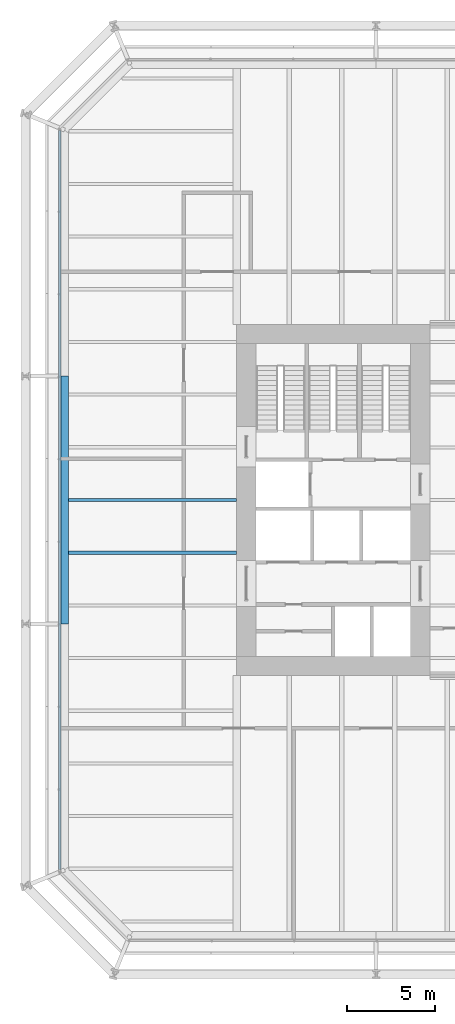
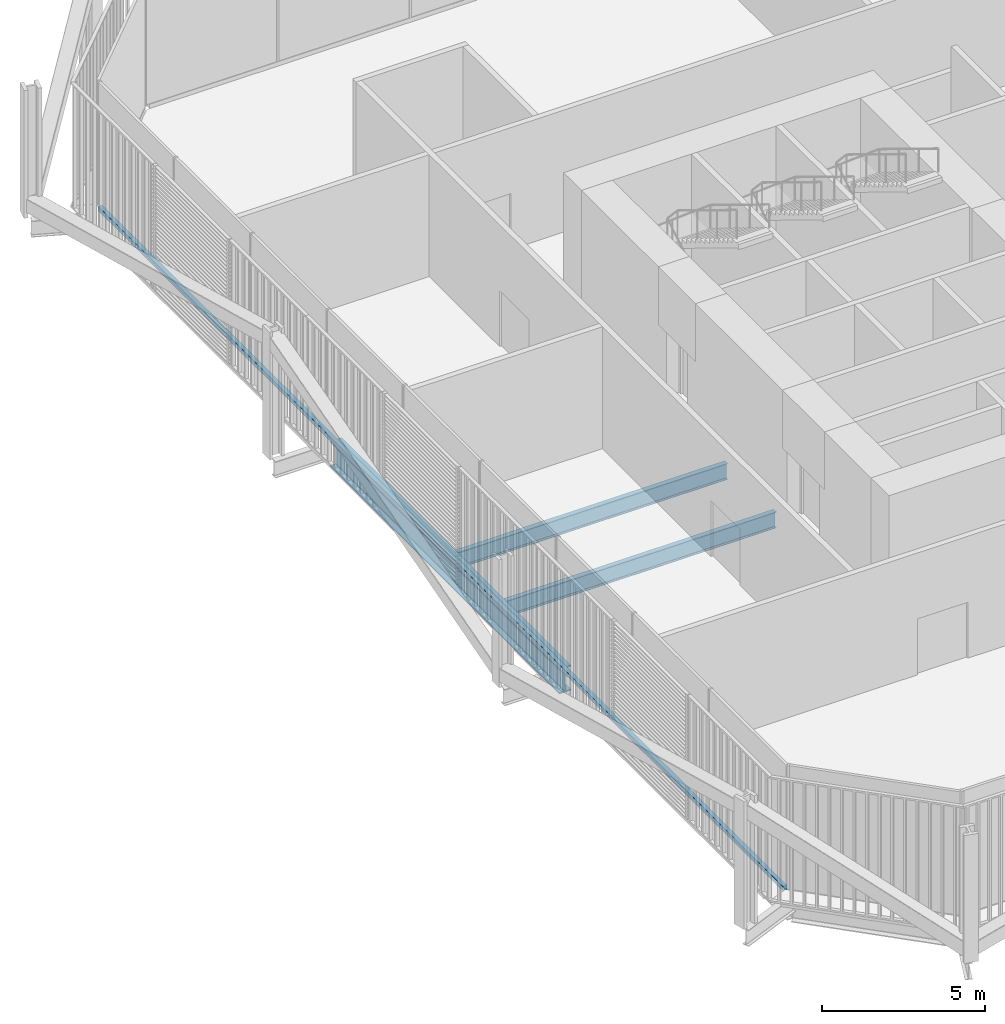
# One storey, part 6 of 22: 3 beams, 1 member, 1 element without a shape of its own.
"""IFC4 building model written with IfcOpenShell, lengths in metres."""

from ifc_helpers import new_model, si_unit, direction, frame, origin, origin_2d, place, context, subcontext, project, spatial, rectangle, i_section, extrude, material, layer, layer_set, material_profile, profile_set, type_object, element, aggregate, save


model = new_model("IFC4")

# Units and contexts
model_context = context("Model", 3, precision=1e-05, world=origin(), true_north=direction((0.0, 1.0)))
body_context = subcontext(model_context, "Body", "Model", "MODEL_VIEW")
ifc_project = project(units=[si_unit("LENGTHUNIT", "METRE"), si_unit("AREAUNIT", "SQUARE_METRE"), si_unit("VOLUMEUNIT", "CUBIC_METRE"), si_unit("PLANEANGLEUNIT", "RADIAN"), si_unit("MASSUNIT", "GRAM", prefix="KILO")], contexts=[model_context])

# Site, building, storey
site_placement = place(None, origin())
site = spatial("IfcSite", under=ifc_project, at=site_placement, CompositionType="ELEMENT")
building_placement = place(site_placement, origin())
building = spatial("IfcBuilding", under=site, at=building_placement, Name="Millrace Tower", CompositionType="ELEMENT")
storey_placement = place(building_placement, frame((0.0, 0.0, 30.5)))
storey = spatial("IfcBuildingStorey", under=building, at=storey_placement, Name="L07", CompositionType="ELEMENT", Elevation=30.5)

# Curtain wall, member
ifc_material_1 = material(Name="Aluminium and glass", Category="aluminium")
ifc_layer = layer(ifc_material_1, 0.14990234375)
ifc_layer_set = layer_set([ifc_layer], Name="Aluminium and glass")
curtain_wall_type = type_object("IfcCurtainWallType", Name="CW-2 data hall insulated curtain wall", PredefinedType="NOTDEFINED", material=ifc_layer_set)
curtain_wall_placement = place(storey_placement, origin())
curtain_wall = element("IfcCurtainWall", 1, at=curtain_wall_placement, inside=storey, type_object=curtain_wall_type, Name="Curtain wall A-F08 L07", PredefinedType="NOTDEFINED")
ifc_material_2 = material(Name="Aluminium", Category="aluminium")
ifc_material_profile_1 = material_profile(ifc_material_2, rectangle(XDim=0.14990234375, YDim=0.159912109375, at=origin_2d()))
ifc_profile_set_1 = profile_set([ifc_material_profile_1], Name="Aluminium")
member_type = type_object("IfcMemberType", Name="CW-2 data hall insulated curtain wall transom", PredefinedType="USERDEFINED", material=ifc_profile_set_1)
member_placement = place(storey_placement, frame((-25.074951171875, 21.050048828125, 0.080078125), z_axis=(0.0, -1.0, 0.0), x_axis=(1.0, 0.0, 0.0)))
member = element("IfcMember", 2, at=member_placement, type_object=member_type, Name="CW2 transom A-F08.1", ObjectType="TRANSOM", PredefinedType="USERDEFINED", context=body_context, shape_type="SweptSolid", body=[
    extrude(rectangle(XDim=0.14990234375, YDim=0.159912109375, at=origin_2d()), origin(), (0.0, 0.0, 1.0), 42.10009765625),
])
aggregate(curtain_wall, [member])

# Beams
ifc_material_3 = material(Name="Steel ASTM A992 Grade 50", Category="steel")
ifc_material_profile_2 = material_profile(ifc_material_3, i_section(OverallWidth=0.1787109375, OverallDepth=0.60205078125, WebThickness=0.010986328125, FlangeThickness=0.014892578125, FilletRadius=0.0126953125, at=origin_2d()))
ifc_profile_set_2 = profile_set([ifc_material_profile_2], Name="Steel ASTM A992 Grade 50")
beam_type_1 = type_object("IfcBeamType", Name="Floor beam W24x62", PredefinedType="JOIST", material=ifc_profile_set_2)
for number, where, z_axis, x_axis, name in (
    (3, (-24.578369140625, -3.0, -0.52587890625), (1.0, 0.0, 0.0), (0.0, 1.0, 0.0), "BM-A-L07-S1-S018"),
    (4, (-24.578369140625, 0.0, -0.52587890625), (1.0, 0.0, 0.0), (0.0, 1.0, 0.0), "BM-A-L07-S1-S021"),
):
    element("IfcBeam", number, at=place(storey_placement, frame(where, z_axis=z_axis, x_axis=x_axis)), inside=storey, type_object=beam_type_1, Name=name, PredefinedType="JOIST", context=body_context, shape_type="SweptSolid", body=[
        extrude(i_section(OverallWidth=0.1787109375, OverallDepth=0.60205078125, WebThickness=0.010986328125, FlangeThickness=0.014892578125, FilletRadius=0.0126953125, at=origin_2d()), origin(), (0.0, 0.0, 1.0), 9.578369140625),
    ])
ifc_material_4 = material(Name="Steel ASTM A992 Grade 50", Category="steel")
ifc_material_profile_3 = material_profile(ifc_material_4, i_section(OverallWidth=0.421630859375, OverallDepth=0.937255859375, WebThickness=0.021240234375, FlangeThickness=0.03662109375, FilletRadius=0.024169921875, at=origin_2d()))
ifc_profile_set_3 = profile_set([ifc_material_profile_3], Name="Steel ASTM A992 Grade 50")
beam_type_2 = type_object("IfcBeamType", Name="Ring beam medium span W36x262", PredefinedType="SPANDREL", material=ifc_profile_set_3)
beam_placement = place(storey_placement, frame((-24.7890625, -7.050048828125, -0.693603515625), z_axis=(0.0, 1.0, 0.0), x_axis=(-1.0, 0.0, 0.0)))
element("IfcBeam", 5, at=beam_placement, inside=storey, type_object=beam_type_2, Name="RNG-A-L07-S1-02", PredefinedType="SPANDREL", context=body_context, shape_type="SweptSolid", body=[
    extrude(i_section(OverallWidth=0.421630859375, OverallDepth=0.937255859375, WebThickness=0.021240234375, FlangeThickness=0.03662109375, FilletRadius=0.024169921875, at=origin_2d()), origin(), (0.0, 0.0, 1.0), 14.10009765625),
])

save(model, "model.ifc")
